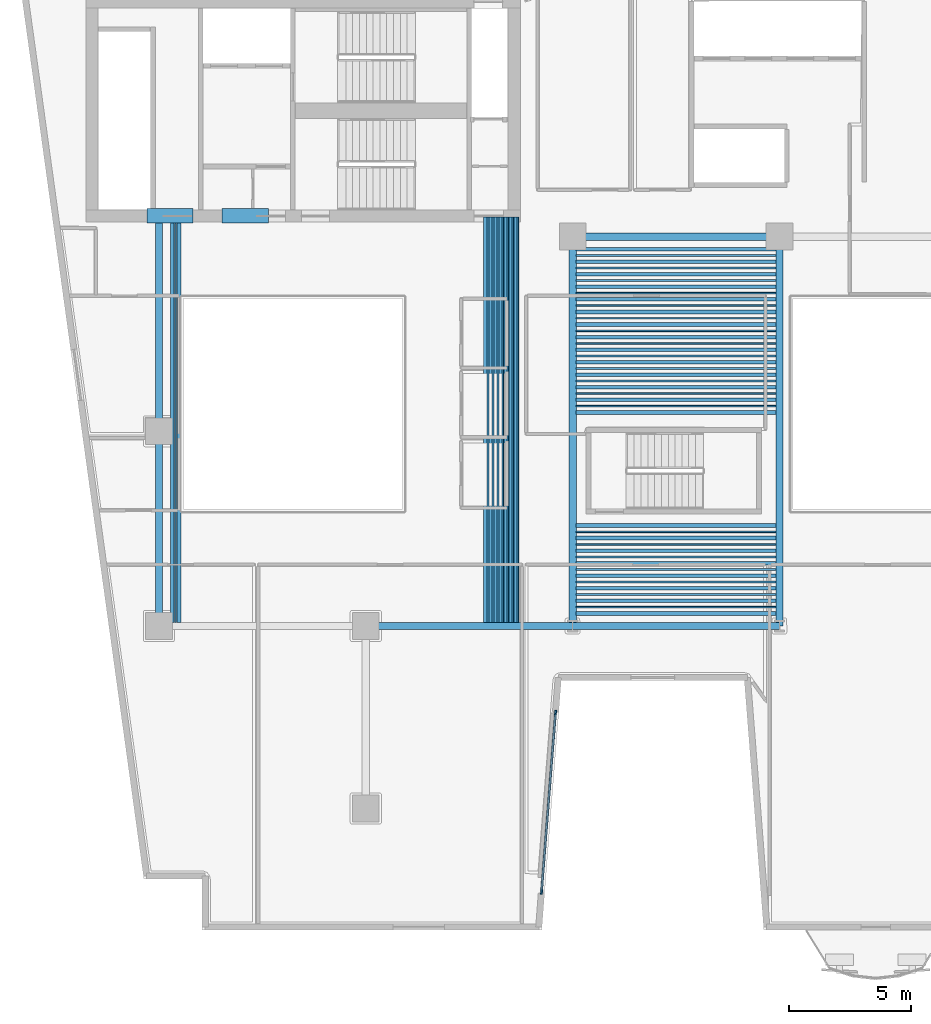
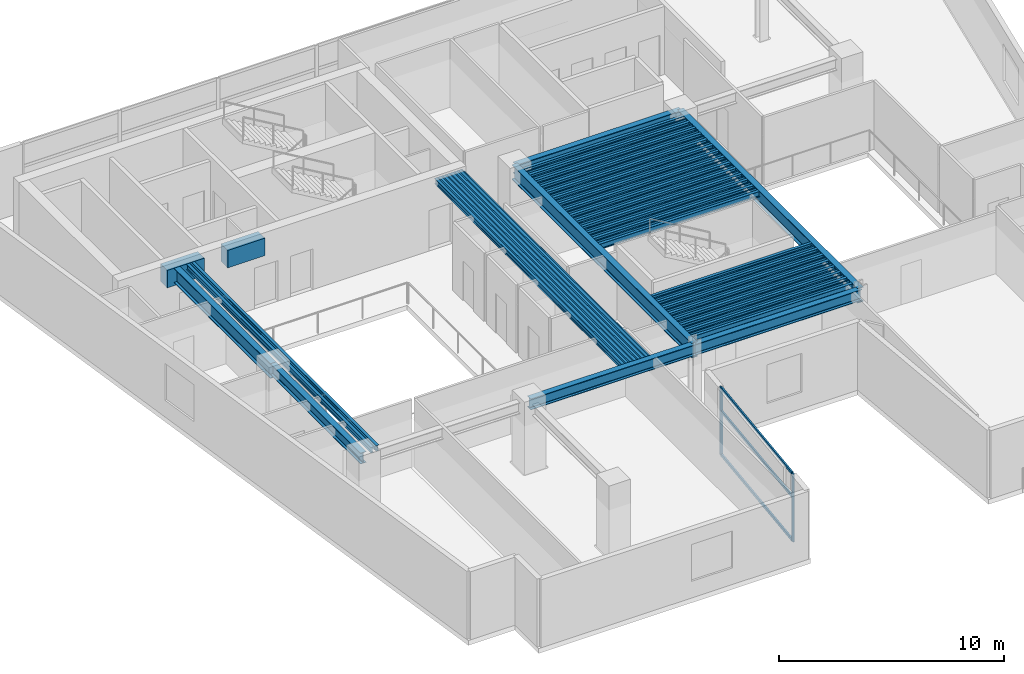
# One storey, part 2 of 13: 68 beams, 5 members, 1 element without a shape of its own.
"""IFC4 building model written with IfcOpenShell, lengths in metres."""

from ifc_helpers import new_model, si_unit, direction, frame, origin, origin_2d, place, context, subcontext, project, spatial, rectangle, hollow_rectangle, i_section, extrude, material, layer, layer_set, material_profile, profile_set, type_object, element, aggregate, save


model = new_model("IFC4")

# Units and contexts
model_context = context("Model", 3, precision=1e-05, world=origin(), true_north=direction((0.0, 1.0)))
body_context = subcontext(model_context, "Body", "Model", "MODEL_VIEW")
ifc_project = project(units=[si_unit("LENGTHUNIT", "METRE"), si_unit("AREAUNIT", "SQUARE_METRE"), si_unit("VOLUMEUNIT", "CUBIC_METRE"), si_unit("PLANEANGLEUNIT", "RADIAN"), si_unit("MASSUNIT", "GRAM", prefix="KILO")], contexts=[model_context])

# Site, building, storey
site_placement = place(None, origin())
site = spatial("IfcSite", under=ifc_project, at=site_placement, CompositionType="ELEMENT")
building_placement = place(site_placement, origin())
building = spatial("IfcBuilding", under=site, at=building_placement, Name="Caeloran Harvest Quay", CompositionType="ELEMENT")
storey_placement = place(building_placement, frame((0.0, 0.0, 123.25)))
storey = spatial("IfcBuildingStorey", under=building, at=storey_placement, Name="L28", CompositionType="ELEMENT", Elevation=123.25)

# Beams
ifc_material_1 = material(Name="Concrete C60/75", Category="concrete")
ifc_material_profile_1 = material_profile(ifc_material_1, rectangle(XDim=0.60009765625, YDim=0.949951171875, at=origin_2d()), Name="RC 600x950")
ifc_profile_set_1 = profile_set([ifc_material_profile_1], Name="Concrete C60/75")
beam_type_1 = type_object("IfcBeamType", Name="BM-CB-2-RC_600x950", PredefinedType="LINTEL", material=ifc_profile_set_1)
for number, where, z_axis, x_axis, name in (
    (1, (8.0, 31.85009765625, 3.215087890625), (1.0, 0.0, 0.0), (0.0, 1.0, 0.0), "L28 Core Coupling Beam 1"),
    (2, (11.10009765625, 31.85009765625, 3.215087890625), (1.0, 0.0, 0.0), (0.0, 1.0, 0.0), "L28 Core Coupling Beam 2"),
):
    element("IfcBeam", number, at=place(storey_placement, frame(where, z_axis=z_axis, x_axis=x_axis)), inside=storey, type_object=beam_type_1, Name=name, PredefinedType="LINTEL", context=body_context, shape_type="SweptSolid", body=[
        extrude(rectangle(XDim=0.60009765625, YDim=0.949951171875, at=origin_2d()), origin(), (0.0, 0.0, 1.0), 1.89990234375),
    ])
ifc_material_2 = material(Name="Steel S355J2", Category="steel")
ifc_material_profile_2 = material_profile(ifc_material_2, i_section(OverallWidth=0.300048828125, OverallDepth=0.800048828125, WebThickness=0.017578125, FlangeThickness=0.032958984375, FilletRadius=0.030029296875, at=origin_2d()), Name="HE 800 B")
ifc_profile_set_2 = profile_set([ifc_material_profile_2], Name="Steel S355J2")
beam_type_2 = type_object("IfcBeamType", Name="BM-PG-1-HE_800_B", PredefinedType="BEAM", material=ifc_profile_set_2)
beam_1_placement = place(storey_placement, frame((8.5, 23.0, 3.2900390625), z_axis=(0.0, 1.0, 0.0), x_axis=(-1.0, 0.0, 0.0)))
element("IfcBeam", 3, at=beam_1_placement, inside=storey, type_object=beam_type_2, Name="L28 Core South Tie Girder X=8.5", PredefinedType="BEAM", context=body_context, shape_type="SweptSolid", body=[
    extrude(i_section(OverallWidth=0.300048828125, OverallDepth=0.800048828125, WebThickness=0.017578125, FlangeThickness=0.032958984375, FilletRadius=0.030029296875, at=origin_2d()), origin(), (0.0, 0.0, 1.0), 8.800048828125),
])
for number, where, z_axis, x_axis, name in (
    (4, (25.5, 15.0, 3.2900390625), (0.0, 1.0, 0.0), (-1.0, 0.0, 0.0), "L28 Primary North-South Girder X=25.5"),
    (5, (34.0, 15.0, 3.2900390625), (0.0, 1.0, 0.0), (-1.0, 0.0, 0.0), "L28 Primary North-South Girder X=34.0"),
):
    element("IfcBeam", number, at=place(storey_placement, frame(where, z_axis=z_axis, x_axis=x_axis)), inside=storey, type_object=beam_type_2, Name=name, PredefinedType="BEAM", context=body_context, shape_type="SweptSolid", body=[
        extrude(i_section(OverallWidth=0.300048828125, OverallDepth=0.800048828125, WebThickness=0.017578125, FlangeThickness=0.032958984375, FilletRadius=0.030029296875, at=origin_2d()), origin(), (0.0, 0.0, 1.0), 16.0),
    ])
ifc_material_profile_3 = material_profile(ifc_material_2, i_section(OverallWidth=0.300048828125, OverallDepth=0.60009765625, WebThickness=0.015380859375, FlangeThickness=0.030029296875, FilletRadius=0.027099609375, at=origin_2d()), Name="HE 600 B")
ifc_profile_set_3 = profile_set([ifc_material_profile_3], Name="Steel S355J2")
beam_type_3 = type_object("IfcBeamType", Name="BM-PG-3-HE_600_B", PredefinedType="BEAM", material=ifc_profile_set_3)
for number, where, z_axis, x_axis, name in (
    (6, (17.0, 15.0, 3.389892578125), (1.0, 0.0, 0.0), (0.0, 1.0, 0.0), "L28 Primary East-West Girder Y=15.0"),
    (7, (25.5, 15.0, 3.389892578125), (1.0, 0.0, 0.0), (0.0, 1.0, 0.0), "L28 Primary East-West Girder Y=15.0"),
    (8, (25.5, 31.0, 3.389892578125), (1.0, 0.0, 0.0), (0.0, 1.0, 0.0), "L28 Primary East-West Girder Y=31.0"),
):
    element("IfcBeam", number, at=place(storey_placement, frame(where, z_axis=z_axis, x_axis=x_axis)), inside=storey, type_object=beam_type_3, Name=name, PredefinedType="BEAM", context=body_context, shape_type="SweptSolid", body=[
        extrude(i_section(OverallWidth=0.300048828125, OverallDepth=0.60009765625, WebThickness=0.015380859375, FlangeThickness=0.030029296875, FilletRadius=0.027099609375, at=origin_2d()), origin(), (0.0, 0.0, 1.0), 8.5),
    ])
beam_2_placement = place(storey_placement, frame((8.5, 15.0, 3.389892578125), z_axis=(0.0, 1.0, 0.0), x_axis=(-1.0, 0.0, 0.0)))
element("IfcBeam", 9, at=beam_2_placement, inside=storey, type_object=beam_type_3, Name="L28 Primary North-South Girder X=8.5", PredefinedType="BEAM", context=body_context, shape_type="SweptSolid", body=[
    extrude(i_section(OverallWidth=0.300048828125, OverallDepth=0.60009765625, WebThickness=0.015380859375, FlangeThickness=0.030029296875, FilletRadius=0.027099609375, at=origin_2d()), origin(), (0.0, 0.0, 1.0), 8.0),
])
ifc_material_profile_4 = material_profile(ifc_material_2, i_section(OverallWidth=0.14990234375, OverallDepth=0.300048828125, WebThickness=0.007080078125, FlangeThickness=0.0107421875, FilletRadius=0.014892578125, at=origin_2d()), Name="IPE 300")
ifc_profile_set_4 = profile_set([ifc_material_profile_4], Name="Steel S355J2")
beam_type_4 = type_object("IfcBeamType", Name="BM-SB-6-IPE_300", PredefinedType="JOIST", material=ifc_profile_set_4)
for number, where, z_axis, x_axis, name in (
    (10, (9.04833984375, 15.14501953125, 3.5400390625), (0.0, 1.0, 0.0), (-1.0, 0.0, 0.0), "L28 Secondary Composite Joist"),
    (11, (9.322509765625, 15.14501953125, 3.5400390625), (0.0, 1.0, 0.0), (-1.0, 0.0, 0.0), "L28 Secondary Composite Joist"),
    (12, (21.916015625, 15.14501953125, 3.5400390625), (0.0, 1.0, 0.0), (-1.0, 0.0, 0.0), "L28 Secondary Composite Joist"),
    (13, (22.12109375, 15.14501953125, 3.5400390625), (0.0, 1.0, 0.0), (-1.0, 0.0, 0.0), "L28 Secondary Composite Joist"),
    (14, (22.32568359375, 15.14501953125, 3.5400390625), (0.0, 1.0, 0.0), (-1.0, 0.0, 0.0), "L28 Secondary Composite Joist"),
    (15, (22.530517578125, 15.14501953125, 3.5400390625), (0.0, 1.0, 0.0), (-1.0, 0.0, 0.0), "L28 Secondary Composite Joist"),
    (16, (22.735595703125, 15.14501953125, 3.5400390625), (0.0, 1.0, 0.0), (-1.0, 0.0, 0.0), "L28 Secondary Composite Joist"),
    (17, (22.940185546875, 15.14501953125, 3.5400390625), (0.0, 1.0, 0.0), (-1.0, 0.0, 0.0), "L28 Secondary Composite Joist"),
    (18, (23.145263671875, 15.14501953125, 3.5400390625), (0.0, 1.0, 0.0), (-1.0, 0.0, 0.0), "L28 Secondary Composite Joist"),
):
    element("IfcBeam", number, at=place(storey_placement, frame(where, z_axis=z_axis, x_axis=x_axis)), inside=storey, type_object=beam_type_4, Name=name, PredefinedType="JOIST", context=body_context, shape_type="SweptSolid", body=[
        extrude(i_section(OverallWidth=0.14990234375, OverallDepth=0.300048828125, WebThickness=0.007080078125, FlangeThickness=0.0107421875, FilletRadius=0.014892578125, at=origin_2d()), origin(), (0.0, 0.0, 1.0), 16.655029296875),
    ])
for number, where, z_axis, x_axis, name in (
    (19, (25.64501953125, 15.51611328125, 3.5400390625), (1.0, 0.0, 0.0), (0.0, 1.0, 0.0), "L28 Secondary East-West Composite Joist"),
    (20, (25.64501953125, 16.0322265625, 3.5400390625), (1.0, 0.0, 0.0), (0.0, 1.0, 0.0), "L28 Secondary East-West Composite Joist"),
    (21, (25.64501953125, 16.54833984375, 3.5400390625), (1.0, 0.0, 0.0), (0.0, 1.0, 0.0), "L28 Secondary East-West Composite Joist"),
    (22, (25.64501953125, 17.064453125, 3.5400390625), (1.0, 0.0, 0.0), (0.0, 1.0, 0.0), "L28 Secondary East-West Composite Joist"),
    (23, (25.64501953125, 17.58056640625, 3.5400390625), (1.0, 0.0, 0.0), (0.0, 1.0, 0.0), "L28 Secondary East-West Composite Joist"),
    (24, (25.64501953125, 18.0966796875, 3.5400390625), (1.0, 0.0, 0.0), (0.0, 1.0, 0.0), "L28 Secondary East-West Composite Joist"),
    (25, (25.64501953125, 18.61279296875, 3.5400390625), (1.0, 0.0, 0.0), (0.0, 1.0, 0.0), "L28 Secondary East-West Composite Joist"),
    (26, (25.64501953125, 19.12890625, 3.5400390625), (1.0, 0.0, 0.0), (0.0, 1.0, 0.0), "L28 Secondary East-West Composite Joist"),
    (27, (25.64501953125, 23.774169921875, 3.5400390625), (1.0, 0.0, 0.0), (0.0, 1.0, 0.0), "L28 Secondary East-West Composite Joist"),
    (28, (25.64501953125, 24.290283203125, 3.5400390625), (1.0, 0.0, 0.0), (0.0, 1.0, 0.0), "L28 Secondary East-West Composite Joist"),
    (29, (25.64501953125, 24.806396484375, 3.5400390625), (1.0, 0.0, 0.0), (0.0, 1.0, 0.0), "L28 Secondary East-West Composite Joist"),
    (30, (25.64501953125, 25.322509765625, 3.5400390625), (1.0, 0.0, 0.0), (0.0, 1.0, 0.0), "L28 Secondary East-West Composite Joist"),
    (31, (25.64501953125, 25.838623046875, 3.5400390625), (1.0, 0.0, 0.0), (0.0, 1.0, 0.0), "L28 Secondary East-West Composite Joist"),
    (32, (25.64501953125, 26.354736328125, 3.5400390625), (1.0, 0.0, 0.0), (0.0, 1.0, 0.0), "L28 Secondary East-West Composite Joist"),
    (33, (25.64501953125, 26.87109375, 3.5400390625), (1.0, 0.0, 0.0), (0.0, 1.0, 0.0), "L28 Secondary East-West Composite Joist"),
    (34, (25.64501953125, 27.38720703125, 3.5400390625), (1.0, 0.0, 0.0), (0.0, 1.0, 0.0), "L28 Secondary East-West Composite Joist"),
    (35, (25.64501953125, 27.9033203125, 3.5400390625), (1.0, 0.0, 0.0), (0.0, 1.0, 0.0), "L28 Secondary East-West Composite Joist"),
    (36, (25.64501953125, 28.41943359375, 3.5400390625), (1.0, 0.0, 0.0), (0.0, 1.0, 0.0), "L28 Secondary East-West Composite Joist"),
    (37, (25.64501953125, 28.935546875, 3.5400390625), (1.0, 0.0, 0.0), (0.0, 1.0, 0.0), "L28 Secondary East-West Composite Joist"),
    (38, (25.64501953125, 29.45166015625, 3.5400390625), (1.0, 0.0, 0.0), (0.0, 1.0, 0.0), "L28 Secondary East-West Composite Joist"),
    (39, (25.64501953125, 29.9677734375, 3.5400390625), (1.0, 0.0, 0.0), (0.0, 1.0, 0.0), "L28 Secondary East-West Composite Joist"),
    (40, (25.64501953125, 30.48388671875, 3.5400390625), (1.0, 0.0, 0.0), (0.0, 1.0, 0.0), "L28 Secondary East-West Composite Joist"),
):
    element("IfcBeam", number, at=place(storey_placement, frame(where, z_axis=z_axis, x_axis=x_axis)), inside=storey, type_object=beam_type_4, Name=name, PredefinedType="JOIST", context=body_context, shape_type="SweptSolid", body=[
        extrude(i_section(OverallWidth=0.14990234375, OverallDepth=0.300048828125, WebThickness=0.007080078125, FlangeThickness=0.0107421875, FilletRadius=0.014892578125, at=origin_2d()), origin(), (0.0, 0.0, 1.0), 8.2099609375),
    ])
ifc_material_profile_5 = material_profile(ifc_material_2, hollow_rectangle(XDim=0.080078125, YDim=0.199951171875, WallThickness=0.006103515625, InnerFilletRadius=0.006103515625, OuterFilletRadius=0.009033203125, at=origin_2d()), Name="RHS 200x80x6")
ifc_profile_set_5 = profile_set([ifc_material_profile_5], Name="Steel S355J2")
beam_type_5 = type_object("IfcBeamType", Name="BM-SB-7-RHS_200x80x6", PredefinedType="JOIST", material=ifc_profile_set_5)
for number, where, z_axis, x_axis, name in (
    (41, (9.185546875, 15.14501953125, 3.590087890625), (0.0, 1.0, 0.0), (-1.0, 0.0, 0.0), "L28 Secondary Composite Joist"),
    (42, (22.0185546875, 15.14501953125, 3.590087890625), (0.0, 1.0, 0.0), (-1.0, 0.0, 0.0), "L28 Secondary Composite Joist"),
    (43, (22.223388671875, 15.14501953125, 3.590087890625), (0.0, 1.0, 0.0), (-1.0, 0.0, 0.0), "L28 Secondary Composite Joist"),
    (44, (22.42822265625, 15.14501953125, 3.590087890625), (0.0, 1.0, 0.0), (-1.0, 0.0, 0.0), "L28 Secondary Composite Joist"),
    (45, (22.633056640625, 15.14501953125, 3.590087890625), (0.0, 1.0, 0.0), (-1.0, 0.0, 0.0), "L28 Secondary Composite Joist"),
    (46, (22.837890625, 15.14501953125, 3.590087890625), (0.0, 1.0, 0.0), (-1.0, 0.0, 0.0), "L28 Secondary Composite Joist"),
    (47, (23.042724609375, 15.14501953125, 3.590087890625), (0.0, 1.0, 0.0), (-1.0, 0.0, 0.0), "L28 Secondary Composite Joist"),
    (48, (23.24755859375, 15.14501953125, 3.590087890625), (0.0, 1.0, 0.0), (-1.0, 0.0, 0.0), "L28 Secondary Composite Joist"),
):
    element("IfcBeam", number, at=place(storey_placement, frame(where, z_axis=z_axis, x_axis=x_axis)), inside=storey, type_object=beam_type_5, Name=name, PredefinedType="JOIST", context=body_context, shape_type="SweptSolid", body=[
        extrude(hollow_rectangle(XDim=0.080078125, YDim=0.199951171875, WallThickness=0.006103515625, InnerFilletRadius=0.006103515625, OuterFilletRadius=0.009033203125, at=origin_2d()), origin(), (0.0, 0.0, 1.0), 16.655029296875),
    ])
for number, where, z_axis, x_axis, name in (
    (49, (25.64501953125, 15.774169921875, 3.590087890625), (1.0, 0.0, 0.0), (0.0, 1.0, 0.0), "L28 Secondary East-West Composite Joist"),
    (50, (25.64501953125, 16.290283203125, 3.590087890625), (1.0, 0.0, 0.0), (0.0, 1.0, 0.0), "L28 Secondary East-West Composite Joist"),
    (51, (25.64501953125, 16.806396484375, 3.590087890625), (1.0, 0.0, 0.0), (0.0, 1.0, 0.0), "L28 Secondary East-West Composite Joist"),
    (52, (25.64501953125, 17.322509765625, 3.590087890625), (1.0, 0.0, 0.0), (0.0, 1.0, 0.0), "L28 Secondary East-West Composite Joist"),
    (53, (25.64501953125, 17.838623046875, 3.590087890625), (1.0, 0.0, 0.0), (0.0, 1.0, 0.0), "L28 Secondary East-West Composite Joist"),
    (54, (25.64501953125, 18.354736328125, 3.590087890625), (1.0, 0.0, 0.0), (0.0, 1.0, 0.0), "L28 Secondary East-West Composite Joist"),
    (55, (25.64501953125, 18.87109375, 3.590087890625), (1.0, 0.0, 0.0), (0.0, 1.0, 0.0), "L28 Secondary East-West Composite Joist"),
    (56, (25.64501953125, 24.0322265625, 3.590087890625), (1.0, 0.0, 0.0), (0.0, 1.0, 0.0), "L28 Secondary East-West Composite Joist"),
    (57, (25.64501953125, 24.54833984375, 3.590087890625), (1.0, 0.0, 0.0), (0.0, 1.0, 0.0), "L28 Secondary East-West Composite Joist"),
    (58, (25.64501953125, 25.064453125, 3.590087890625), (1.0, 0.0, 0.0), (0.0, 1.0, 0.0), "L28 Secondary East-West Composite Joist"),
    (59, (25.64501953125, 25.58056640625, 3.590087890625), (1.0, 0.0, 0.0), (0.0, 1.0, 0.0), "L28 Secondary East-West Composite Joist"),
    (60, (25.64501953125, 26.0966796875, 3.590087890625), (1.0, 0.0, 0.0), (0.0, 1.0, 0.0), "L28 Secondary East-West Composite Joist"),
    (61, (25.64501953125, 26.61279296875, 3.590087890625), (1.0, 0.0, 0.0), (0.0, 1.0, 0.0), "L28 Secondary East-West Composite Joist"),
    (62, (25.64501953125, 27.12890625, 3.590087890625), (1.0, 0.0, 0.0), (0.0, 1.0, 0.0), "L28 Secondary East-West Composite Joist"),
    (63, (25.64501953125, 27.645263671875, 3.590087890625), (1.0, 0.0, 0.0), (0.0, 1.0, 0.0), "L28 Secondary East-West Composite Joist"),
    (64, (25.64501953125, 28.161376953125, 3.590087890625), (1.0, 0.0, 0.0), (0.0, 1.0, 0.0), "L28 Secondary East-West Composite Joist"),
    (65, (25.64501953125, 28.677490234375, 3.590087890625), (1.0, 0.0, 0.0), (0.0, 1.0, 0.0), "L28 Secondary East-West Composite Joist"),
    (66, (25.64501953125, 29.193603515625, 3.590087890625), (1.0, 0.0, 0.0), (0.0, 1.0, 0.0), "L28 Secondary East-West Composite Joist"),
    (67, (25.64501953125, 29.709716796875, 3.590087890625), (1.0, 0.0, 0.0), (0.0, 1.0, 0.0), "L28 Secondary East-West Composite Joist"),
    (68, (25.64501953125, 30.225830078125, 3.590087890625), (1.0, 0.0, 0.0), (0.0, 1.0, 0.0), "L28 Secondary East-West Composite Joist"),
):
    element("IfcBeam", number, at=place(storey_placement, frame(where, z_axis=z_axis, x_axis=x_axis)), inside=storey, type_object=beam_type_5, Name=name, PredefinedType="JOIST", context=body_context, shape_type="SweptSolid", body=[
        extrude(hollow_rectangle(XDim=0.080078125, YDim=0.199951171875, WallThickness=0.006103515625, InnerFilletRadius=0.006103515625, OuterFilletRadius=0.009033203125, at=origin_2d()), origin(), (0.0, 0.0, 1.0), 8.2099609375),
    ])

# Curtain wall, members
ifc_material_3 = material(Name="Aluminium 6063-T6 and Low-E Glazing", Category="aluminium")
ifc_layer = layer(ifc_material_3, 0.18994140625, Name="Aluminium 6063-T6 and Low-E Glazing")
ifc_layer_set = layer_set([ifc_layer], Name="Aluminium 6063-T6 and Low-E Glazing")
curtain_wall_type = type_object("IfcCurtainWallType", Name="CW-SYS-CW-3", PredefinedType="USERDEFINED", material=ifc_layer_set)
curtain_wall_placement = place(storey_placement, origin())
curtain_wall = element("IfcCurtainWall", 69, at=curtain_wall_placement, inside=storey, type_object=curtain_wall_type, Name="L28 Unitised Curtain Wall CW-3 Run 15", ObjectType="CURTAIN_WALL", PredefinedType="USERDEFINED")
ifc_material_4 = material(Name="Aluminium 6063-T6", Category="aluminium")
ifc_material_profile_6 = material_profile(ifc_material_4, rectangle(XDim=0.080078125, YDim=0.179931640625, at=origin_2d()), Name="CW-MULLION-180")
ifc_profile_set_6 = profile_set([ifc_material_profile_6], Name="Aluminium 6063-T6")
member_type_1 = type_object("IfcMemberType", Name="CW-MULLION-180", PredefinedType="MULLION", material=ifc_profile_set_6)
member_1_placement = place(storey_placement, frame((24.7978515625, 11.4443359375, 0.0), z_axis=(0.0, 0.0, 1.0), x_axis=(0.996967280277, -0.077821861046, 0.0)))
member_1 = element("IfcMember", 70, at=member_1_placement, type_object=member_type_1, Name="CW-3 mullion 1", PredefinedType="MULLION", context=body_context, shape_type="SweptSolid", body=[
    extrude(rectangle(XDim=0.080078125, YDim=0.179931640625, at=origin_2d()), origin(), (0.0, 0.0, 1.0), 3.68994140625),
])
member_2_placement = place(storey_placement, frame((24.221923828125, 4.065673828125, 0.0), z_axis=(0.0, 0.0, 1.0), x_axis=(0.996967280277, -0.077821861046, 0.0)))
member_2 = element("IfcMember", 71, at=member_2_placement, type_object=member_type_1, Name="CW-3 mullion 2", PredefinedType="MULLION", context=body_context, shape_type="SweptSolid", body=[
    extrude(rectangle(XDim=0.080078125, YDim=0.179931640625, at=origin_2d()), origin(), (0.0, 0.0, 1.0), 3.68994140625),
])
ifc_material_profile_7 = material_profile(ifc_material_4, rectangle(XDim=0.080078125, YDim=0.14990234375, at=origin_2d()), Name="CW-TRANSOM-150")
ifc_profile_set_7 = profile_set([ifc_material_profile_7], Name="Aluminium 6063-T6")
member_type_2 = type_object("IfcMemberType", Name="CW-TRANSOM-150", PredefinedType="USERDEFINED", material=ifc_profile_set_7)
member_3_placement = place(storey_placement, frame((24.794677734375, 11.404541015625, 0.0400390625), z_axis=(-0.077831218093, -0.996966549835, 0.0), x_axis=(0.996966549835, -0.077831218093, 0.0)))
member_3 = element("IfcMember", 72, at=member_3_placement, type_object=member_type_2, Name="CW-3 transom 1.1", ObjectType="TRANSOM", PredefinedType="USERDEFINED", context=body_context, shape_type="SweptSolid", body=[
    extrude(rectangle(XDim=0.080078125, YDim=0.14990234375, at=origin_2d()), origin(), (0.0, 0.0, 1.0), 7.3212890625),
])
member_4_placement = place(storey_placement, frame((24.794677734375, 11.404541015625, 2.39990234375), z_axis=(-0.077831218093, -0.996966549835, 0.0), x_axis=(0.996966549835, -0.077831218093, 0.0)))
member_4 = element("IfcMember", 73, at=member_4_placement, type_object=member_type_2, Name="CW-3 transom 1.2", ObjectType="TRANSOM", PredefinedType="USERDEFINED", context=body_context, shape_type="SweptSolid", body=[
    extrude(rectangle(XDim=0.080078125, YDim=0.14990234375, at=origin_2d()), origin(), (0.0, 0.0, 1.0), 7.3212890625),
])
member_5_placement = place(storey_placement, frame((24.794677734375, 11.404541015625, 3.64990234375), z_axis=(-0.077831218093, -0.996966549835, 0.0), x_axis=(0.996966549835, -0.077831218093, 0.0)))
member_5 = element("IfcMember", 74, at=member_5_placement, type_object=member_type_2, Name="CW-3 transom 1.3", ObjectType="TRANSOM", PredefinedType="USERDEFINED", context=body_context, shape_type="SweptSolid", body=[
    extrude(rectangle(XDim=0.080078125, YDim=0.14990234375, at=origin_2d()), origin(), (0.0, 0.0, 1.0), 7.3212890625),
])
aggregate(curtain_wall, [member_1, member_2, member_3, member_4, member_5])

save(model, "model.ifc")
